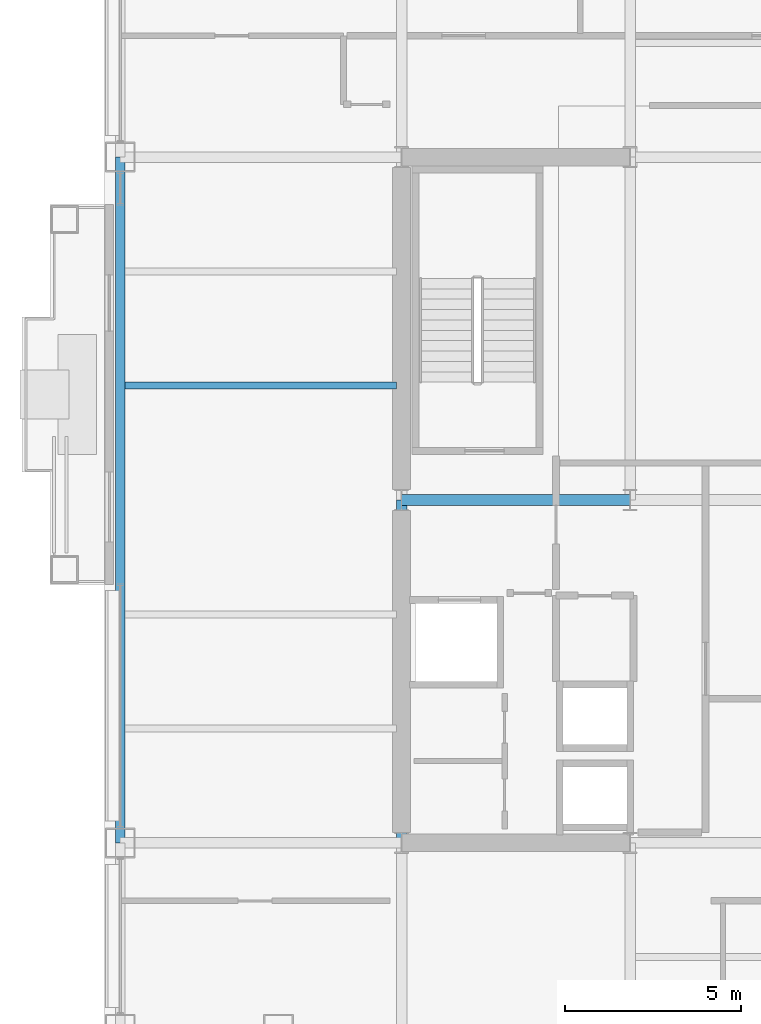
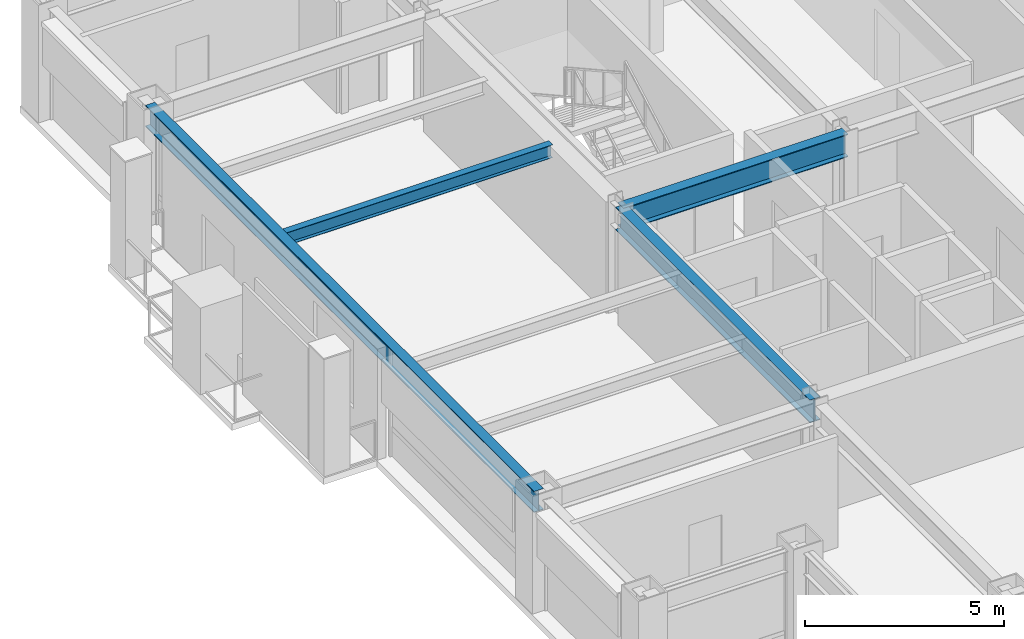
# One storey, part 8 of 30: 4 beams.
"""IFC4 building model written with IfcOpenShell, lengths in metres."""

import ifcopenshell
import ifcopenshell.guid

model = None  # the IFC model being written
_history = None  # IfcOwnerHistory: only IFC2X3 demands one
_inside = {}  # id of a spatial element -> (the spatial element, [elements in it])
_under = {}  # id of a project, library or spatial element -> (it, [spatial elements below it])
_declared = {}  # id of a project -> (the project, [libraries it declares])
_typed = {}  # id of a type object -> (the type object, [elements of that type])
_made_of = {}  # id of a material, layer set ... -> (it, [elements and type objects made of it])


def new_model(schema):
    """Start an empty IFC model of exactly this schema.

    Asked for "IFC4X3", IfcOpenShell would pick the latest addendum, in which some entities
    have other attributes; the version numbers below select the first issue.
    IFC2X3 requires an IfcOwnerHistory on every rooted entity: one is made here for all.
    """
    global model, _history
    if schema == "IFC4X3":
        model = ifcopenshell.file(schema_version=(4, 3, 0, 0))
    else:
        model = ifcopenshell.file(schema=schema)
    _inside.clear()
    _under.clear()
    _declared.clear()
    _typed.clear()
    _made_of.clear()
    _history = None
    if model.schema == "IFC2X3":
        org = make("IfcOrganization", Name="unknown")
        user = make(
            "IfcPersonAndOrganization",
            ThePerson=make("IfcPerson", FamilyName="unknown"),
            TheOrganization=org,
        )
        app = make(
            "IfcApplication",
            ApplicationDeveloper=org,
            Version="unknown",
            ApplicationFullName="unknown",
            ApplicationIdentifier="unknown",
        )
        _history = make(
            "IfcOwnerHistory",
            OwningUser=user,
            OwningApplication=app,
            ChangeAction="ADDED",
            CreationDate=0,
        )
    return model


def make(cls, **values):
    """One entity of the class cls with the attributes given. An attribute that is None is left unset."""
    return model.create_entity(
        cls, **{name: value for name, value in values.items() if value is not None}
    )


def rooted(cls, **values):
    """An entity with a GlobalId (a new one), such as an element, a storey or a relation."""
    return make(cls, GlobalId=ifcopenshell.guid.new(), OwnerHistory=_history, **values)


def si_unit(unit_type, name, prefix=None):
    """IfcSIUnit, for example si_unit("LENGTHUNIT", "METRE", prefix="MILLI")."""
    return make("IfcSIUnit", UnitType=unit_type, Prefix=prefix, Name=name)


def assignment(units):
    """IfcUnitAssignment: the units of a project."""
    return None if units is None else make("IfcUnitAssignment", Units=units)


def point(xyz):
    """IfcCartesianPoint."""
    return None if xyz is None else make("IfcCartesianPoint", Coordinates=xyz)


def direction(xyz):
    """IfcDirection."""
    return None if xyz is None else make("IfcDirection", DirectionRatios=xyz)


def frame(location, z_axis=None, x_axis=None):
    """IfcAxis2Placement3D, a coordinate frame: its origin and axes. An axis left out is left unset."""
    return make(
        "IfcAxis2Placement3D",
        Location=point(location),
        Axis=direction(z_axis),
        RefDirection=direction(x_axis),
    )


def frame_2d(location, x_axis=None):
    """IfcAxis2Placement2D, a coordinate frame in the plane: its origin and x axis."""
    return make(
        "IfcAxis2Placement2D", Location=point(location), RefDirection=direction(x_axis)
    )


def origin():
    """The frame at (0, 0, 0) with its axes left unset."""
    return frame((0.0, 0.0, 0.0))


def origin_2d():
    """The frame at (0, 0) in the plane with its x axis left unset."""
    return frame_2d((0.0, 0.0))


def place(relative_to, where):
    """IfcLocalPlacement: puts the frame where relative to a parent placement (None: the world)."""
    return make(
        "IfcLocalPlacement", PlacementRelTo=relative_to, RelativePlacement=where
    )


def context(
    kind, dimensions, precision=None, world=None, true_north=None, identifier=None
):
    """IfcGeometricRepresentationContext, for example the 3D "Model" context."""
    return make(
        "IfcGeometricRepresentationContext",
        ContextIdentifier=identifier,
        ContextType=kind,
        CoordinateSpaceDimension=dimensions,
        Precision=precision,
        WorldCoordinateSystem=world,
        TrueNorth=true_north,
    )


def subcontext(parent, identifier, kind, view, scale=None):
    """IfcGeometricRepresentationSubContext, for example "Body" below "Model"."""
    return make(
        "IfcGeometricRepresentationSubContext",
        ContextIdentifier=identifier,
        ContextType=kind,
        ParentContext=parent,
        TargetScale=scale,
        TargetView=view,
    )


def project(units=None, contexts=None):
    """IfcProject with its units and contexts."""
    return rooted(
        "IfcProject",
        Name="project",
        RepresentationContexts=contexts,
        UnitsInContext=assignment(units),
    )


def spatial(cls, under=None, at=None, **own):
    """A site, building, storey or space (cls), placed at a placement, below another one or the project."""
    s = rooted(cls, ObjectPlacement=at, **own)
    if under is not None:
        _under.setdefault(under.id(), (under, []))[1].append(s)
    return s


def profile(cls, at=None, kind="AREA", **sizes):
    """A parametric profile (cls). Its sizes go by their IFC names, for example OverallWidth=200.0."""
    return make(cls, ProfileType=kind, Position=at, **sizes)


def i_section(**sizes):
    """IfcIShapeProfileDef."""
    return profile("IfcIShapeProfileDef", **sizes)


def extrude(swept, where, along, depth):
    """IfcExtrudedAreaSolid: the profile swept, set in the frame where, extruded along a direction by depth."""
    return make(
        "IfcExtrudedAreaSolid",
        SweptArea=swept,
        Position=where,
        ExtrudedDirection=direction(along),
        Depth=depth,
    )


def shape(context_of_items, identifier, shape_type, items):
    """IfcShapeRepresentation: the items that make up one representation, for example the "Body"."""
    return make(
        "IfcShapeRepresentation",
        ContextOfItems=context_of_items,
        RepresentationIdentifier=identifier,
        RepresentationType=shape_type,
        Items=items,
    )


def material(Name=None, Category=None):
    """IfcMaterial."""
    return make("IfcMaterial", Name=Name, Category=Category)


def material_profile(
    of_material, cross_section, Name=None, Category=None, Priority=None
):
    """IfcMaterialProfile: a cross section and its material."""
    return make(
        "IfcMaterialProfile",
        Name=Name,
        Material=of_material,
        Profile=cross_section,
        Priority=Priority,
        Category=Category,
    )


def profile_set(profiles, Name=None, composite=None):
    """IfcMaterialProfileSet."""
    return make(
        "IfcMaterialProfileSet",
        Name=Name,
        MaterialProfiles=profiles,
        CompositeProfile=composite,
    )


def made_of(thing, what):
    """Note that an element or type object is made of a material, layer set ...; save() writes the relation."""
    if what is not None:
        _made_of.setdefault(what.id(), (what, []))[1].append(thing)
    return thing


def type_object(cls, material=None, **own):
    """A type object (cls), such as IfcWallType, which elements share."""
    return made_of(rooted(cls, **own), material)


def element(
    cls,
    number,
    at=None,
    inside=None,
    cuts=None,
    type_object=None,
    material=None,
    context=None,
    identifier="Body",
    shape_type=None,
    held_by="IfcProductDefinitionShape",
    body=None,
    shapes=None,
    **own,
):
    """One element of the class cls, such as IfcWall. Its Tag is "e" and its number.

    at: its placement. inside: the storey or other place that contains it. cuts: it is an
    opening in that element (IfcRelVoidsElement). A single representation is given by context,
    identifier, shape_type and body (its items); several are given by shapes. held_by: the class
    of the entity that holds the representations. save() writes the other relations.
    """
    e = rooted(cls, Tag="e%d" % number, ObjectPlacement=at, **own)
    if body is not None:
        shapes = [shape(context, identifier, shape_type, body)]
    if shapes is not None:
        e.Representation = make(held_by, Representations=shapes)
    if inside is not None:
        _inside.setdefault(inside.id(), (inside, []))[1].append(e)
    if cuts is not None:
        rooted(
            "IfcRelVoidsElement", RelatingBuildingElement=cuts, RelatedOpeningElement=e
        )
    if type_object is not None:
        _typed.setdefault(type_object.id(), (type_object, []))[1].append(e)
    return made_of(e, material)


def aggregate(whole, parts):
    """IfcRelAggregates: a whole, such as a stair, and the parts it consists of."""
    return rooted("IfcRelAggregates", RelatingObject=whole, RelatedObjects=parts)


def save(model, path):
    """Write the relations noted so far, then the file.

    IfcRelAggregates (storeys below a building ...), IfcRelContainedInSpatialStructure (elements
    in a storey), IfcRelDefinesByType, IfcRelAssociatesMaterial and IfcRelDeclares: one each for
    every whole, place, type object, material and project.
    """
    for whole, parts in _under.values():
        aggregate(whole, parts)
    for where, things in _inside.values():
        rooted(
            "IfcRelContainedInSpatialStructure",
            RelatedElements=things,
            RelatingStructure=where,
        )
    for kind, things in _typed.values():
        rooted("IfcRelDefinesByType", RelatedObjects=things, RelatingType=kind)
    for what, things in _made_of.values():
        rooted("IfcRelAssociatesMaterial", RelatedObjects=things, RelatingMaterial=what)
    for by, libraries in _declared.values():
        rooted("IfcRelDeclares", RelatingContext=by, RelatedDefinitions=libraries)
    model.write(path)


model = new_model("IFC4")

# Units and contexts
model_context = context("Model", 3, precision=1e-05, world=origin(), true_north=direction((0.0, 1.0)))
body_context = subcontext(model_context, "Body", "Model", "MODEL_VIEW")
ifc_project = project(units=[si_unit("LENGTHUNIT", "METRE"), si_unit("AREAUNIT", "SQUARE_METRE"), si_unit("VOLUMEUNIT", "CUBIC_METRE"), si_unit("PLANEANGLEUNIT", "RADIAN"), si_unit("MASSUNIT", "GRAM", prefix="KILO")], contexts=[model_context])

# Site, building, storey
site_placement = place(None, origin())
site = spatial("IfcSite", under=ifc_project, at=site_placement, CompositionType="ELEMENT")
building_placement = place(site_placement, origin())
building = spatial("IfcBuilding", under=site, at=building_placement, Name="Brelmoor Portico Tower", CompositionType="ELEMENT")
storey_placement = place(building_placement, frame((0.0, 0.0, 102.60009765625)))
storey = spatial("IfcBuildingStorey", under=building, at=storey_placement, Name="L26", CompositionType="ELEMENT", Elevation=102.60009765625)

# Beams
ifc_material = material(Name="Steel Q355B", Category="steel")
ifc_material_profile_1 = material_profile(ifc_material, i_section(OverallWidth=0.199951171875, OverallDepth=0.39990234375, WebThickness=0.008056640625, FlangeThickness=0.012939453125, at=origin_2d()), Name="HN 400x200x8x13")
ifc_profile_set_1 = profile_set([ifc_material_profile_1], Name="Steel Q355B")
beam_type_1 = type_object("IfcBeamType", Name="BM-JS-400", PredefinedType="JOIST", material=ifc_profile_set_1)
beam_1_placement = place(storey_placement, frame((-22.409912109375, 3.25, 3.199951171875), z_axis=(1.0, 0.0, 0.0), x_axis=(0.0, 1.0, 0.0)))
element("IfcBeam", 1, at=beam_1_placement, inside=storey, type_object=beam_type_1, Name="L26 Secondary Wing Joist JS-W07", PredefinedType="JOIST", context=body_context, shape_type="SweptSolid", body=[
    extrude(i_section(OverallWidth=0.199951171875, OverallDepth=0.39990234375, WebThickness=0.008056640625, FlangeThickness=0.012939453125, at=origin_2d()), origin(), (0.0, 0.0, 1.0), 7.7099609375),
])
ifc_material_profile_2 = material_profile(ifc_material, i_section(OverallWidth=0.300048828125, OverallDepth=0.699951171875, WebThickness=0.012939453125, FlangeThickness=0.02392578125, at=origin_2d()), Name="HN 700x300x13x24")
ifc_profile_set_2 = profile_set([ifc_material_profile_2], Name="Steel Q355B")
beam_type_2 = type_object("IfcBeamType", Name="BM-PG-700", PredefinedType="BEAM", material=ifc_profile_set_2)
beam_2_placement = place(storey_placement, frame((-14.550048828125, -9.75, 3.0498046875), z_axis=(0.0, 1.0, 0.0), x_axis=(-1.0, 0.0, 0.0)))
element("IfcBeam", 2, at=beam_2_placement, inside=storey, type_object=beam_type_2, Name="L26 Primary Floor Girder PG-02", PredefinedType="BEAM", context=body_context, shape_type="SweptSolid", body=[
    extrude(i_section(OverallWidth=0.300048828125, OverallDepth=0.699951171875, WebThickness=0.012939453125, FlangeThickness=0.02392578125, at=origin_2d()), origin(), (0.0, 0.0, 1.0), 9.75),
])
beam_3_placement = place(storey_placement, frame((-14.550048828125, 0.0, 3.0498046875), z_axis=(1.0, 0.0, 0.0), x_axis=(0.0, 1.0, 0.0)))
element("IfcBeam", 3, at=beam_3_placement, inside=storey, type_object=beam_type_2, Name="L26 Primary Floor Girder PG-19", PredefinedType="BEAM", context=body_context, shape_type="SweptSolid", body=[
    extrude(i_section(OverallWidth=0.300048828125, OverallDepth=0.699951171875, WebThickness=0.012939453125, FlangeThickness=0.02392578125, at=origin_2d()), origin(), (0.0, 0.0, 1.0), 6.5),
])
ifc_material_profile_3 = material_profile(ifc_material, i_section(OverallWidth=0.280029296875, OverallDepth=0.64990234375, WebThickness=0.012939453125, FlangeThickness=0.02197265625, at=origin_2d()), Name="HN 650x280x13x22")
ifc_profile_set_3 = profile_set([ifc_material_profile_3], Name="Steel Q355B")
beam_type_3 = type_object("IfcBeamType", Name="BM-SP-650", PredefinedType="SPANDREL", material=ifc_profile_set_3)
beam_4_placement = place(storey_placement, frame((-22.550048828125, -9.75, 3.074951171875), z_axis=(0.0, 1.0, 0.0), x_axis=(-1.0, 0.0, 0.0)))
element("IfcBeam", 4, at=beam_4_placement, inside=storey, type_object=beam_type_3, Name="L26 Perimeter Spandrel Beam SP-16", PredefinedType="SPANDREL", context=body_context, shape_type="SweptSolid", body=[
    extrude(i_section(OverallWidth=0.280029296875, OverallDepth=0.64990234375, WebThickness=0.012939453125, FlangeThickness=0.02197265625, at=origin_2d()), origin(), (0.0, 0.0, 1.0), 19.5),
])

save(model, "model.ifc")
